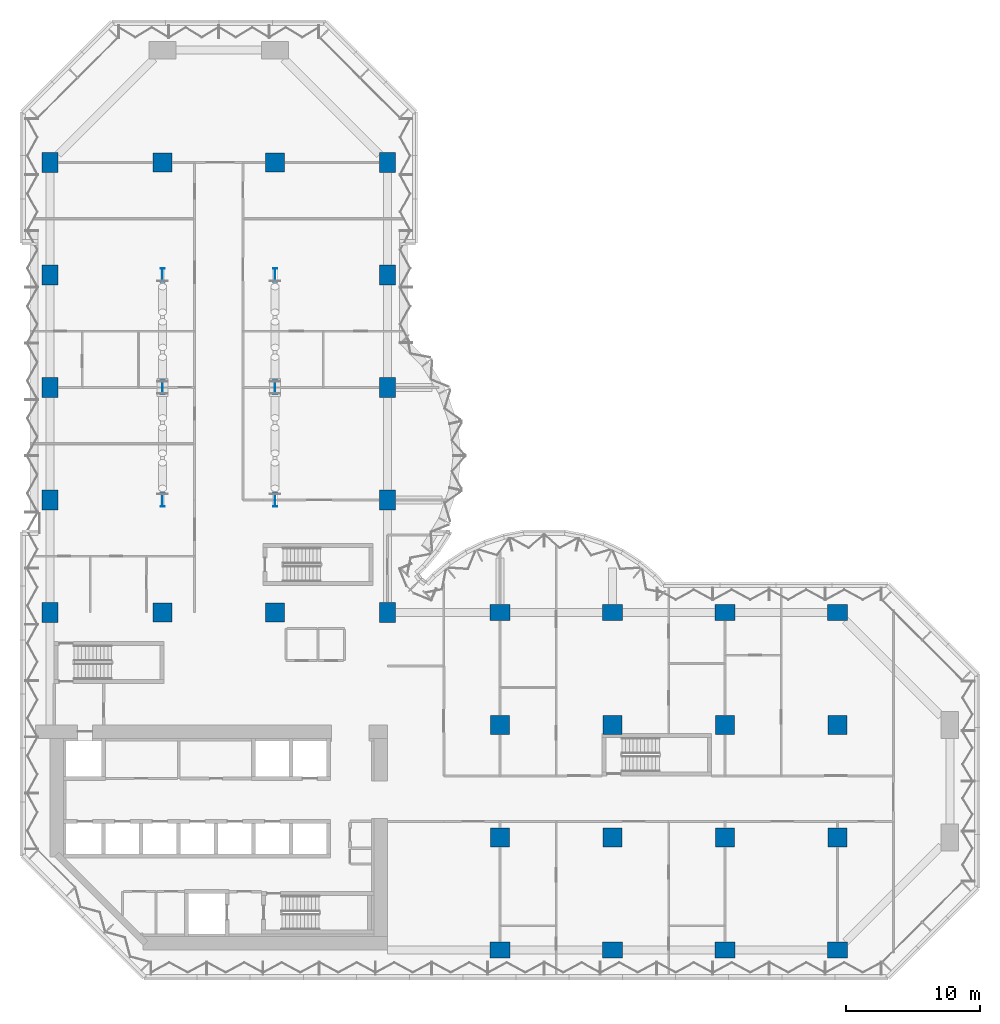
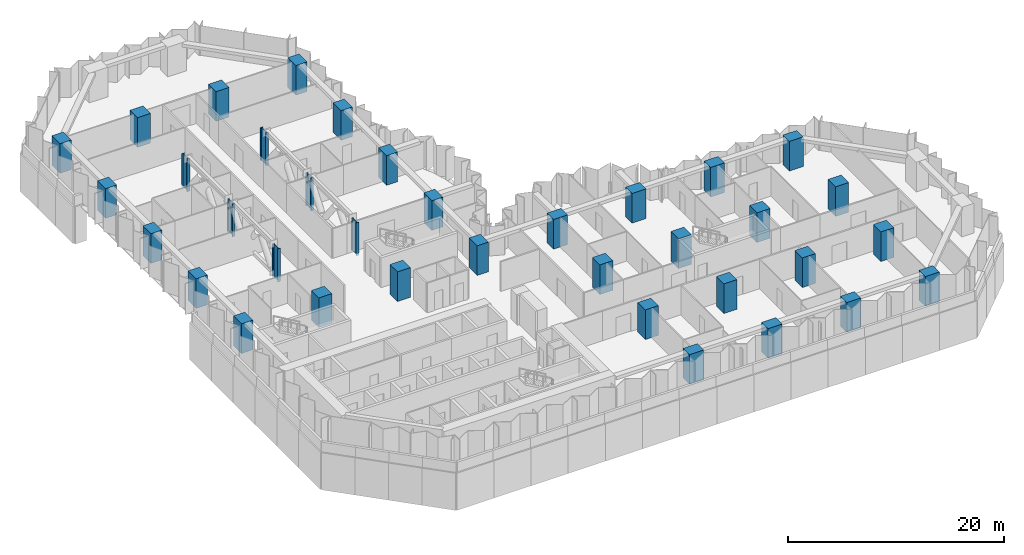
# One storey, part 1 of 24: 36 columns.
"""IFC4 building model written with IfcOpenShell, lengths in metres."""

from ifc_helpers import new_model, si_unit, direction, frame, origin, origin_2d, place, context, subcontext, project, spatial, rectangle, i_section, extrude, material, material_profile, profile_set, type_object, element, save


model = new_model("IFC4")

# Units and contexts
model_context = context("Model", 3, precision=1e-05, world=origin(), true_north=direction((0.0, 1.0)))
body_context = subcontext(model_context, "Body", "Model", "MODEL_VIEW")
ifc_project = project(units=[si_unit("LENGTHUNIT", "METRE"), si_unit("AREAUNIT", "SQUARE_METRE"), si_unit("VOLUMEUNIT", "CUBIC_METRE"), si_unit("PLANEANGLEUNIT", "RADIAN"), si_unit("MASSUNIT", "GRAM", prefix="KILO")], contexts=[model_context])

# Site, building, storey
site_placement = place(None, origin())
site = spatial("IfcSite", under=ifc_project, at=site_placement, CompositionType="ELEMENT")
building_placement = place(site_placement, origin())
building = spatial("IfcBuilding", under=site, at=building_placement, Name="Brevane Broadcast Tower", CompositionType="ELEMENT")
storey_placement = place(building_placement, frame((0.0, 0.0, 36.5)))
storey = spatial("IfcBuildingStorey", under=building, at=storey_placement, Name="L06", CompositionType="ELEMENT", Elevation=36.5)

# Columns
ifc_material_1 = material(Name="Concrete C80/95", Category="concrete")
ifc_material_profile_1 = material_profile(ifc_material_1, rectangle(XDim=1.199951171875, YDim=1.5, at=origin_2d()), Name="RC 1200x1500")
ifc_profile_set_1 = profile_set([ifc_material_profile_1], Name="Concrete C80/95")
column_type_1 = type_object("IfcColumnType", Name="RC COLUMN EDGE 1200x1500 C80/95", PredefinedType="COLUMN", material=ifc_profile_set_1)
for number, where, z_axis, x_axis, name in (
    (1, (0.0, 25.199951171875, 0.0), (0.0, 0.0, 1.0), (1.0, 0.0, 0.0), "CE5 1/D"),
    (2, (0.0, 33.60009765625, 0.0), (0.0, 0.0, 1.0), (1.0, 0.0, 0.0), "CE5 1/E"),
    (3, (0.0, 42.0, 0.0), (0.0, 0.0, 1.0), (1.0, 0.0, 0.0), "CE5 1/F"),
    (4, (0.0, 50.39990234375, 0.0), (0.0, 0.0, 1.0), (1.0, 0.0, 0.0), "CE5 1/G"),
    (5, (0.0, 58.800048828125, 0.0), (0.0, 0.0, 1.0), (1.0, 0.0, 0.0), "CE5 1/H"),
    (6, (25.199951171875, 25.199951171875, 0.0), (0.0, 0.0, 1.0), (1.0, 0.0, 0.0), "CE5 4/D"),
    (7, (25.199951171875, 33.60009765625, 0.0), (0.0, 0.0, 1.0), (1.0, 0.0, 0.0), "CE5 4/E"),
    (8, (25.199951171875, 42.0, 0.0), (0.0, 0.0, 1.0), (1.0, 0.0, 0.0), "CE5 4/F"),
    (9, (25.199951171875, 50.39990234375, 0.0), (0.0, 0.0, 1.0), (1.0, 0.0, 0.0), "CE5 4/G"),
    (10, (25.199951171875, 58.800048828125, 0.0), (0.0, 0.0, 1.0), (1.0, 0.0, 0.0), "CE5 4/H"),
    (11, (33.60009765625, 0.0, 0.0), (0.0, 0.0, 1.0), (0.0, 1.0, 0.0), "CE5 5/A"),
    (12, (33.60009765625, 25.199951171875, 0.0), (0.0, 0.0, 1.0), (0.0, 1.0, 0.0), "CE5 5/D"),
    (13, (42.0, 0.0, 0.0), (0.0, 0.0, 1.0), (0.0, 1.0, 0.0), "CE5 6/A"),
    (14, (42.0, 25.199951171875, 0.0), (0.0, 0.0, 1.0), (0.0, 1.0, 0.0), "CE5 6/D"),
    (15, (50.39990234375, 0.0, 0.0), (0.0, 0.0, 1.0), (0.0, 1.0, 0.0), "CE5 7/A"),
    (16, (50.39990234375, 25.199951171875, 0.0), (0.0, 0.0, 1.0), (0.0, 1.0, 0.0), "CE5 7/D"),
    (17, (58.800048828125, 0.0, 0.0), (0.0, 0.0, 1.0), (0.0, 1.0, 0.0), "CE5 8/A"),
    (18, (58.800048828125, 25.199951171875, 0.0), (0.0, 0.0, 1.0), (0.0, 1.0, 0.0), "CE5 8/D"),
):
    element("IfcColumn", number, at=place(storey_placement, frame(where, z_axis=z_axis, x_axis=x_axis)), inside=storey, type_object=column_type_1, Name=name, PredefinedType="COLUMN", context=body_context, shape_type="SweptSolid", body=[
        extrude(rectangle(XDim=1.199951171875, YDim=1.5, at=origin_2d()), origin(), (0.0, 0.0, 1.0), 3.35009765625),
    ])
ifc_material_profile_2 = material_profile(ifc_material_1, rectangle(XDim=1.39990234375, YDim=1.39990234375, at=origin_2d()), Name="RC 1400x1400")
ifc_profile_set_2 = profile_set([ifc_material_profile_2], Name="Concrete C80/95")
column_type_2 = type_object("IfcColumnType", Name="RC COLUMN INTERIOR 1400x1400 C80/95", PredefinedType="COLUMN", material=ifc_profile_set_2)
for number, where, z_axis, x_axis, name in (
    (19, (8.39990234375, 25.199951171875, 0.0), (0.0, 0.0, 1.0), (1.0, 0.0, 0.0), "CI6 2/D"),
    (20, (8.39990234375, 58.800048828125, 0.0), (0.0, 0.0, 1.0), (1.0, 0.0, 0.0), "CI6 2/H"),
    (21, (16.800048828125, 25.199951171875, 0.0), (0.0, 0.0, 1.0), (1.0, 0.0, 0.0), "CI6 3/D"),
    (22, (16.800048828125, 58.800048828125, 0.0), (0.0, 0.0, 1.0), (1.0, 0.0, 0.0), "CI6 3/H"),
    (23, (33.60009765625, 8.39990234375, 0.0), (0.0, 0.0, 1.0), (1.0, 0.0, 0.0), "CI6 5/B"),
    (24, (33.60009765625, 16.800048828125, 0.0), (0.0, 0.0, 1.0), (1.0, 0.0, 0.0), "CI6 5/C"),
    (25, (42.0, 8.39990234375, 0.0), (0.0, 0.0, 1.0), (1.0, 0.0, 0.0), "CI6 6/B"),
    (26, (42.0, 16.800048828125, 0.0), (0.0, 0.0, 1.0), (1.0, 0.0, 0.0), "CI6 6/C"),
    (27, (50.39990234375, 8.39990234375, 0.0), (0.0, 0.0, 1.0), (1.0, 0.0, 0.0), "CI6 7/B"),
    (28, (50.39990234375, 16.800048828125, 0.0), (0.0, 0.0, 1.0), (1.0, 0.0, 0.0), "CI6 7/C"),
    (29, (58.800048828125, 8.39990234375, 0.0), (0.0, 0.0, 1.0), (1.0, 0.0, 0.0), "CI6 8/B"),
    (30, (58.800048828125, 16.800048828125, 0.0), (0.0, 0.0, 1.0), (1.0, 0.0, 0.0), "CI6 8/C"),
):
    element("IfcColumn", number, at=place(storey_placement, frame(where, z_axis=z_axis, x_axis=x_axis)), inside=storey, type_object=column_type_2, Name=name, PredefinedType="COLUMN", context=body_context, shape_type="SweptSolid", body=[
        extrude(rectangle(XDim=1.39990234375, YDim=1.39990234375, at=origin_2d()), origin(), (0.0, 0.0, 1.0), 3.35009765625),
    ])
ifc_material_2 = material(Name="Steel S355", Category="steel")
ifc_material_profile_3 = material_profile(ifc_material_2, i_section(OverallWidth=0.302001953125, OverallDepth=1.008056640625, WebThickness=0.02099609375, FlangeThickness=0.0400390625, FilletRadius=0.030029296875, at=origin_2d()), Name="HE 1000 M")
ifc_profile_set_3 = profile_set([ifc_material_profile_3], Name="Steel S355")
column_type_3 = type_object("IfcColumnType", Name="STEEL TRUSS END POST HE 1000 M S355", PredefinedType="COLUMN", material=ifc_profile_set_3)
for number, where, z_axis, x_axis, name in (
    (31, (8.39990234375, 33.60009765625, -0.25), (0.0, 0.0, 1.0), (1.0, 0.0, 0.0), "TP1 1-1"),
    (32, (8.39990234375, 50.39990234375, -0.25), (0.0, 0.0, 1.0), (1.0, 0.0, 0.0), "TP1 1-2"),
    (33, (16.800048828125, 33.60009765625, -0.25), (0.0, 0.0, 1.0), (1.0, 0.0, 0.0), "TP1 2-1"),
    (34, (16.800048828125, 50.39990234375, -0.25), (0.0, 0.0, 1.0), (1.0, 0.0, 0.0), "TP1 2-2"),
    (35, (8.39990234375, 42.0, -0.25), (0.0, 0.0, 1.0), (1.0, 0.0, 0.0), "TP1 1-3"),
    (36, (16.800048828125, 42.0, -0.25), (0.0, 0.0, 1.0), (1.0, 0.0, 0.0), "TP1 2-3"),
):
    element("IfcColumn", number, at=place(storey_placement, frame(where, z_axis=z_axis, x_axis=x_axis)), inside=storey, type_object=column_type_3, Name=name, PredefinedType="COLUMN", context=body_context, shape_type="SweptSolid", body=[
        extrude(i_section(OverallWidth=0.302001953125, OverallDepth=1.008056640625, WebThickness=0.02099609375, FlangeThickness=0.0400390625, FilletRadius=0.030029296875, at=origin_2d()), origin(), (0.0, 0.0, 1.0), 3.72509765625),
    ])

save(model, "model.ifc")
